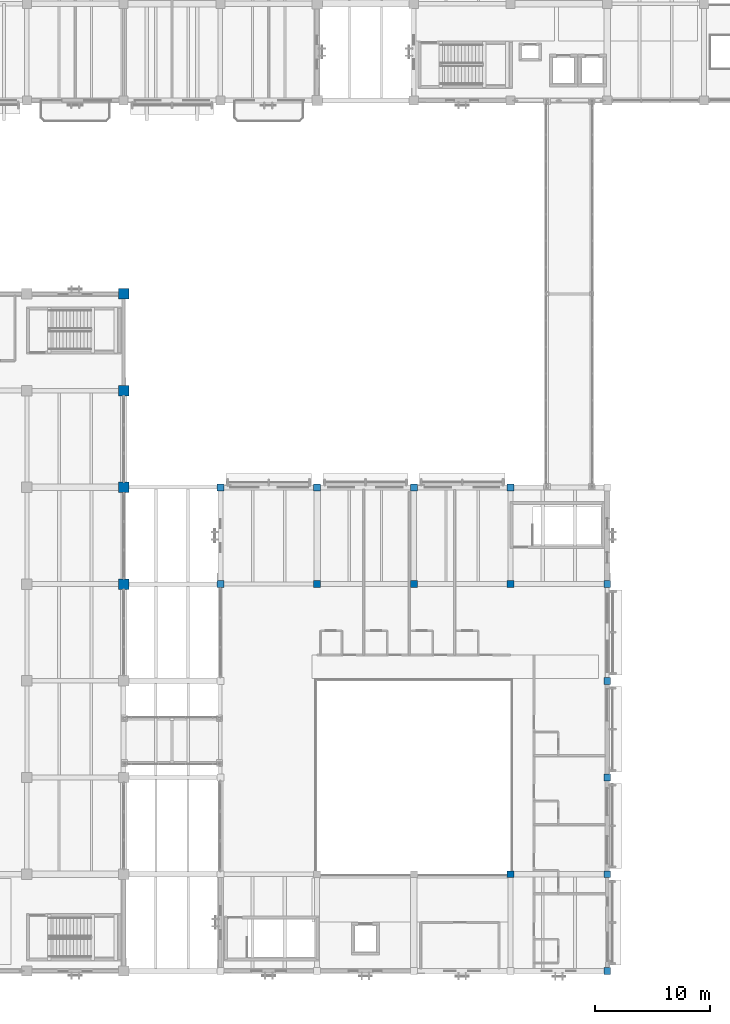
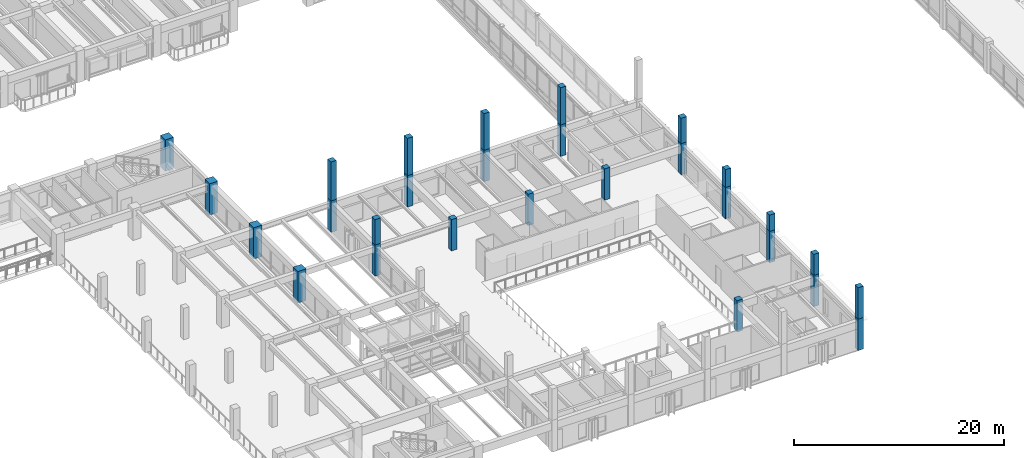
# One storey, part 4 of 118: 28 columns.
"""IFC4 building model written with IfcOpenShell, lengths in metres."""

from ifc_helpers import new_model, si_unit, direction, frame, origin, origin_2d, place, context, subcontext, project, spatial, rectangle, extrude, material, material_profile, profile_set, type_object, element, save


model = new_model("IFC4")

# Units and contexts
model_context = context("Model", 3, precision=1e-05, world=origin(), true_north=direction((0.0, 1.0)))
body_context = subcontext(model_context, "Body", "Model", "MODEL_VIEW")
ifc_project = project(units=[si_unit("LENGTHUNIT", "METRE"), si_unit("AREAUNIT", "SQUARE_METRE"), si_unit("VOLUMEUNIT", "CUBIC_METRE"), si_unit("PLANEANGLEUNIT", "RADIAN"), si_unit("MASSUNIT", "GRAM", prefix="KILO")], contexts=[model_context])

# Site, building, storey
site_placement = place(None, origin())
site = spatial("IfcSite", under=ifc_project, at=site_placement, CompositionType="ELEMENT")
building_placement = place(site_placement, origin())
building = spatial("IfcBuilding", under=site, at=building_placement, Name="Cumbredor Promenade Congress Hotel", CompositionType="ELEMENT")
storey_placement = place(building_placement, frame((0.0, 0.0, 3.919921875)))
storey = spatial("IfcBuildingStorey", under=building, at=storey_placement, Name="L01", CompositionType="ELEMENT", Elevation=3.919921875)

# Columns
ifc_material_1 = material(Name="Concrete C40/50", Category="concrete")
ifc_material_profile_1 = material_profile(ifc_material_1, rectangle(XDim=0.60009765625, YDim=0.60009765625, at=origin_2d()), Name="RC 600x600")
ifc_profile_set_1 = profile_set([ifc_material_profile_1], Name="Concrete C40/50")
column_type_1 = type_object("IfcColumnType", Name="COL-RC-600", PredefinedType="COLUMN", material=ifc_profile_set_1)
for number, where, z_axis, x_axis, name in (
    (1, (75.60009765625, 42.0, 0.0), (0.0, 0.0, 1.0), (1.0, 0.0, 0.0), "L01 Structural Column 095"),
    (2, (75.60009765625, 50.39990234375, 0.0), (0.0, 0.0, 1.0), (1.0, 0.0, 0.0), "L01 Structural Column 096"),
    (3, (84.0, 42.0, 0.0), (0.0, 0.0, 1.0), (1.0, 0.0, 0.0), "L01 Structural Column 104"),
    (4, (84.0, 50.39990234375, 0.0), (0.0, 0.0, 1.0), (1.0, 0.0, 0.0), "L01 Structural Column 105"),
    (5, (92.39990234375, 42.0, 0.0), (0.0, 0.0, 1.0), (1.0, 0.0, 0.0), "L01 Structural Column 113"),
    (6, (92.39990234375, 50.39990234375, 0.0), (0.0, 0.0, 1.0), (1.0, 0.0, 0.0), "L01 Structural Column 114"),
    (7, (100.800048828125, 16.800048828125, 0.0), (0.0, 0.0, 1.0), (1.0, 0.0, 0.0), "L01 Structural Column 121"),
    (8, (100.800048828125, 42.0, 0.0), (0.0, 0.0, 1.0), (1.0, 0.0, 0.0), "L01 Structural Column 122"),
    (9, (100.800048828125, 50.39990234375, 0.0), (0.0, 0.0, 1.0), (1.0, 0.0, 0.0), "L01 Structural Column 123"),
    (10, (109.199951171875, 8.39990234375, 0.0), (0.0, 0.0, 1.0), (1.0, 0.0, 0.0), "L01 Structural Column 129"),
    (11, (109.199951171875, 16.800048828125, 0.0), (0.0, 0.0, 1.0), (1.0, 0.0, 0.0), "L01 Structural Column 130"),
    (12, (109.199951171875, 25.199951171875, 0.0), (0.0, 0.0, 1.0), (1.0, 0.0, 0.0), "L01 Structural Column 131"),
    (13, (109.199951171875, 33.60009765625, 0.0), (0.0, 0.0, 1.0), (1.0, 0.0, 0.0), "L01 Structural Column 132"),
    (14, (109.199951171875, 42.0, 0.0), (0.0, 0.0, 1.0), (1.0, 0.0, 0.0), "L01 Structural Column 133"),
):
    element("IfcColumn", number, at=place(storey_placement, frame(where, z_axis=z_axis, x_axis=x_axis)), inside=storey, type_object=column_type_1, Name=name, PredefinedType="COLUMN", context=body_context, shape_type="SweptSolid", body=[
        extrude(rectangle(XDim=0.60009765625, YDim=0.60009765625, at=origin_2d()), origin(), (0.0, 0.0, 1.0), 3.64013671875),
    ])
column_1_placement = place(storey_placement, frame((75.60009765625, 42.0, 3.64013671875), z_axis=(0.0, 0.0, 1.0), x_axis=(1.0, 0.0, 0.0)))
element("IfcColumn", 15, at=column_1_placement, inside=storey, type_object=column_type_1, Name="Thermal Spa and Hydrotherapy Pavilion Clerestory Column Extension 05", PredefinedType="COLUMN", context=body_context, shape_type="SweptSolid", body=[
    extrude(rectangle(XDim=0.60009765625, YDim=0.60009765625, at=origin_2d()), origin(), (0.0, 0.0, 1.0), 2.947021484375),
])
column_2_placement = place(storey_placement, frame((75.60009765625, 50.39990234375, 3.64013671875), z_axis=(0.0, 0.0, 1.0), x_axis=(1.0, 0.0, 0.0)))
element("IfcColumn", 16, at=column_2_placement, inside=storey, type_object=column_type_1, Name="Thermal Spa and Hydrotherapy Pavilion Clerestory Column Extension 06", PredefinedType="COLUMN", context=body_context, shape_type="SweptSolid", body=[
    extrude(rectangle(XDim=0.60009765625, YDim=0.60009765625, at=origin_2d()), origin(), (0.0, 0.0, 1.0), 4.529052734375),
])
column_3_placement = place(storey_placement, frame((84.0, 50.39990234375, 3.64013671875), z_axis=(0.0, 0.0, 1.0), x_axis=(1.0, 0.0, 0.0)))
element("IfcColumn", 17, at=column_3_placement, inside=storey, type_object=column_type_1, Name="Thermal Spa and Hydrotherapy Pavilion Clerestory Column Extension 08", PredefinedType="COLUMN", context=body_context, shape_type="SweptSolid", body=[
    extrude(rectangle(XDim=0.60009765625, YDim=0.60009765625, at=origin_2d()), origin(), (0.0, 0.0, 1.0), 4.328125),
])
column_4_placement = place(storey_placement, frame((92.39990234375, 50.39990234375, 3.64013671875), z_axis=(0.0, 0.0, 1.0), x_axis=(1.0, 0.0, 0.0)))
element("IfcColumn", 18, at=column_4_placement, inside=storey, type_object=column_type_1, Name="Thermal Spa and Hydrotherapy Pavilion Clerestory Column Extension 10", PredefinedType="COLUMN", context=body_context, shape_type="SweptSolid", body=[
    extrude(rectangle(XDim=0.60009765625, YDim=0.60009765625, at=origin_2d()), origin(), (0.0, 0.0, 1.0), 4.261474609375),
])
column_5_placement = place(storey_placement, frame((100.800048828125, 50.39990234375, 3.64013671875), z_axis=(0.0, 0.0, 1.0), x_axis=(1.0, 0.0, 0.0)))
element("IfcColumn", 19, at=column_5_placement, inside=storey, type_object=column_type_1, Name="Thermal Spa and Hydrotherapy Pavilion Clerestory Column Extension 12", PredefinedType="COLUMN", context=body_context, shape_type="SweptSolid", body=[
    extrude(rectangle(XDim=0.60009765625, YDim=0.60009765625, at=origin_2d()), origin(), (0.0, 0.0, 1.0), 4.328125),
])
column_6_placement = place(storey_placement, frame((109.199951171875, 8.39990234375, 3.64013671875), z_axis=(0.0, 0.0, 1.0), x_axis=(1.0, 0.0, 0.0)))
element("IfcColumn", 20, at=column_6_placement, inside=storey, type_object=column_type_1, Name="Thermal Spa and Hydrotherapy Pavilion Clerestory Column Extension 13", PredefinedType="COLUMN", context=body_context, shape_type="SweptSolid", body=[
    extrude(rectangle(XDim=0.60009765625, YDim=0.60009765625, at=origin_2d()), origin(), (0.0, 0.0, 1.0), 3.650146484375),
])
column_7_placement = place(storey_placement, frame((109.199951171875, 16.800048828125, 3.64013671875), z_axis=(0.0, 0.0, 1.0), x_axis=(1.0, 0.0, 0.0)))
element("IfcColumn", 21, at=column_7_placement, inside=storey, type_object=column_type_1, Name="Thermal Spa and Hydrotherapy Pavilion Clerestory Column Extension 14", PredefinedType="COLUMN", context=body_context, shape_type="SweptSolid", body=[
    extrude(rectangle(XDim=0.60009765625, YDim=0.60009765625, at=origin_2d()), origin(), (0.0, 0.0, 1.0), 2.41943359375),
])
column_8_placement = place(storey_placement, frame((109.199951171875, 25.199951171875, 3.64013671875), z_axis=(0.0, 0.0, 1.0), x_axis=(1.0, 0.0, 0.0)))
element("IfcColumn", 22, at=column_8_placement, inside=storey, type_object=column_type_1, Name="Thermal Spa and Hydrotherapy Pavilion Clerestory Column Extension 15", PredefinedType="COLUMN", context=body_context, shape_type="SweptSolid", body=[
    extrude(rectangle(XDim=0.60009765625, YDim=0.60009765625, at=origin_2d()), origin(), (0.0, 0.0, 1.0), 1.891845703125),
])
column_9_placement = place(storey_placement, frame((109.199951171875, 33.60009765625, 3.64013671875), z_axis=(0.0, 0.0, 1.0), x_axis=(1.0, 0.0, 0.0)))
element("IfcColumn", 23, at=column_9_placement, inside=storey, type_object=column_type_1, Name="Thermal Spa and Hydrotherapy Pavilion Clerestory Column Extension 16", PredefinedType="COLUMN", context=body_context, shape_type="SweptSolid", body=[
    extrude(rectangle(XDim=0.60009765625, YDim=0.60009765625, at=origin_2d()), origin(), (0.0, 0.0, 1.0), 2.0673828125),
])
column_10_placement = place(storey_placement, frame((109.199951171875, 42.0, 3.64013671875), z_axis=(0.0, 0.0, 1.0), x_axis=(1.0, 0.0, 0.0)))
element("IfcColumn", 24, at=column_10_placement, inside=storey, type_object=column_type_1, Name="Thermal Spa and Hydrotherapy Pavilion Clerestory Column Extension 17", PredefinedType="COLUMN", context=body_context, shape_type="SweptSolid", body=[
    extrude(rectangle(XDim=0.60009765625, YDim=0.60009765625, at=origin_2d()), origin(), (0.0, 0.0, 1.0), 2.947021484375),
])
ifc_material_2 = material(Name="Concrete C50/60", Category="concrete")
ifc_material_profile_2 = material_profile(ifc_material_2, rectangle(XDim=0.89990234375, YDim=0.89990234375, at=origin_2d()), Name="RC 900x900")
ifc_profile_set_2 = profile_set([ifc_material_profile_2], Name="Concrete C50/60")
column_type_2 = type_object("IfcColumnType", Name="COL-RC-900", PredefinedType="COLUMN", material=ifc_profile_set_2)
for number, where, z_axis, x_axis, name in (
    (25, (67.199951171875, 42.0, 0.0), (0.0, 0.0, 1.0), (1.0, 0.0, 0.0), "L01 Structural Column 082"),
    (26, (67.199951171875, 50.39990234375, 0.0), (0.0, 0.0, 1.0), (1.0, 0.0, 0.0), "L01 Structural Column 083"),
    (27, (67.199951171875, 58.800048828125, 0.0), (0.0, 0.0, 1.0), (1.0, 0.0, 0.0), "L01 Structural Column 084"),
    (28, (67.199951171875, 67.199951171875, 0.0), (0.0, 0.0, 1.0), (1.0, 0.0, 0.0), "L01 Structural Column 085"),
):
    element("IfcColumn", number, at=place(storey_placement, frame(where, z_axis=z_axis, x_axis=x_axis)), inside=storey, type_object=column_type_2, Name=name, PredefinedType="COLUMN", context=body_context, shape_type="SweptSolid", body=[
        extrude(rectangle(XDim=0.89990234375, YDim=0.89990234375, at=origin_2d()), origin(), (0.0, 0.0, 1.0), 3.64013671875),
    ])

save(model, "model.ifc")
